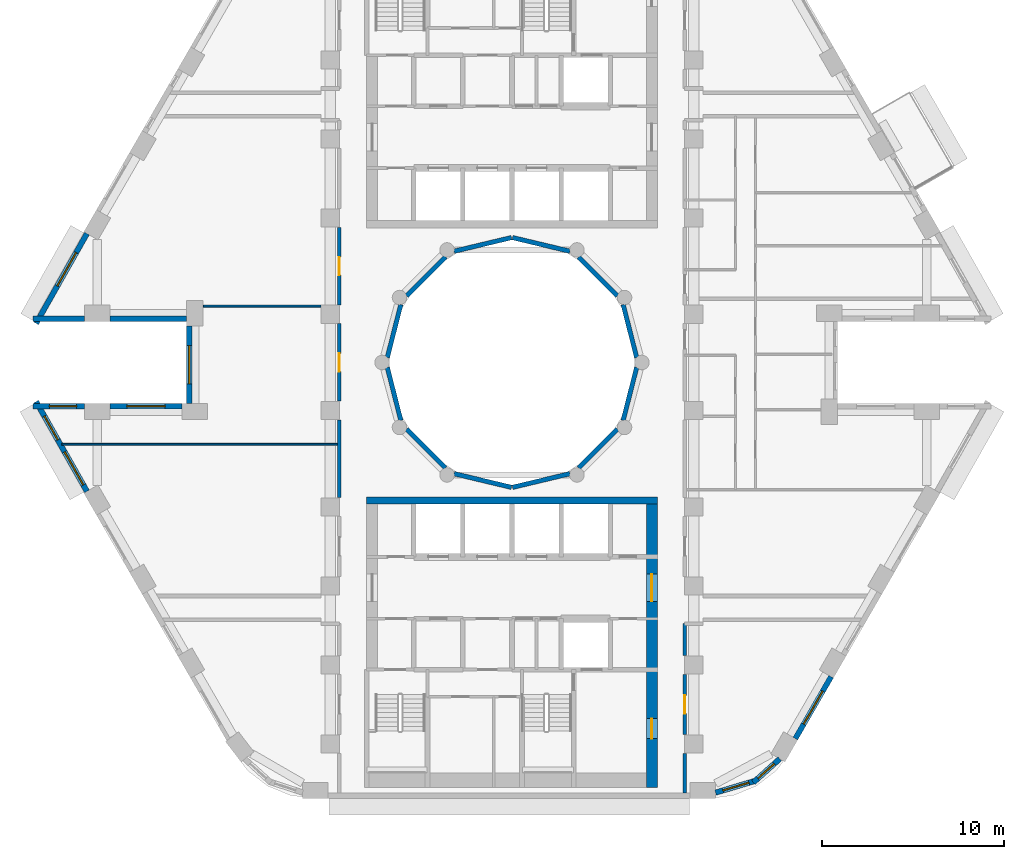
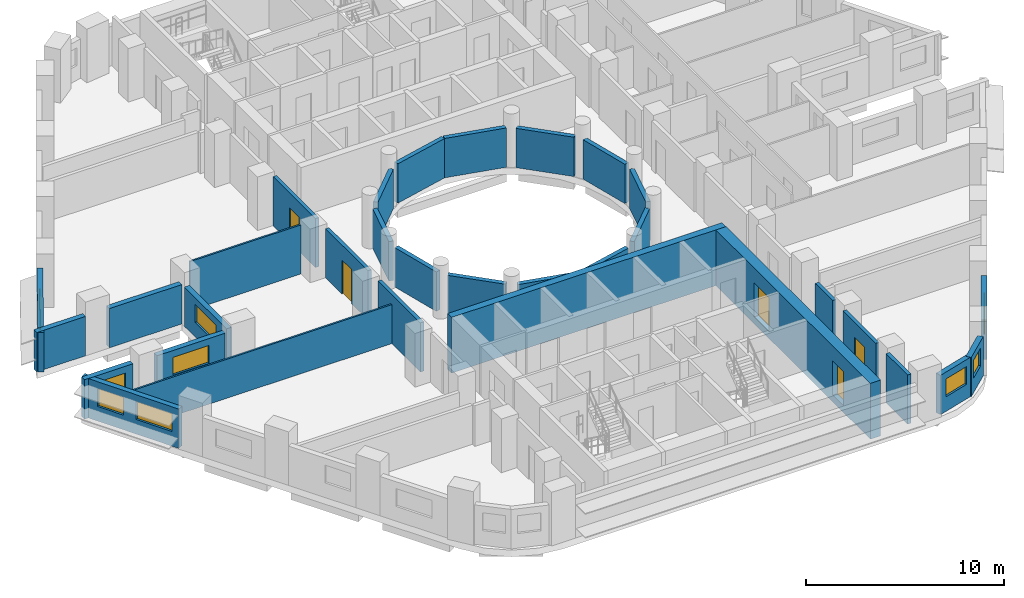
# One storey, part 4 of 13: 32 walls, 9 windows, 5 doors, 14 openings.
"""IFC4 building model written with IfcOpenShell, lengths in metres."""

from ifc_helpers import new_model, si_unit, direction, frame, frame_2d, origin, place, context, subcontext, project, spatial, rectangle, extrude, material, layer, layer_set, type_object, element, fill, save


model = new_model("IFC4")

# Units and contexts
model_context = context("Model", 3, precision=1e-05, world=origin(), true_north=direction((0.0, 1.0)))
body_context = subcontext(model_context, "Body", "Model", "MODEL_VIEW")
ifc_project = project(units=[si_unit("LENGTHUNIT", "METRE"), si_unit("AREAUNIT", "SQUARE_METRE"), si_unit("VOLUMEUNIT", "CUBIC_METRE"), si_unit("PLANEANGLEUNIT", "RADIAN"), si_unit("MASSUNIT", "GRAM", prefix="KILO")], contexts=[model_context])

# Site, building, storey
site_placement = place(None, origin())
site = spatial("IfcSite", under=ifc_project, at=site_placement, CompositionType="ELEMENT")
building_placement = place(site_placement, origin())
building = spatial("IfcBuilding", under=site, at=building_placement, Name="Nakaniwa Court", CompositionType="ELEMENT")
storey_placement = place(building_placement, frame((0.0, 0.0, 77.699951171875)))
storey = spatial("IfcBuildingStorey", under=building, at=storey_placement, Name="L19", CompositionType="ELEMENT", Elevation=77.699951171875)

# Wall
ifc_material_1 = material(Name="Acoustic double stud partition")
ifc_layer_1 = layer(ifc_material_1, 0.199951171875)
ifc_layer_set_1 = layer_set([ifc_layer_1], Name="Acoustic double stud partition")
wall_type_1 = type_object("IfcWallType", Name="Acoustic double stud partition 200", PredefinedType="PARTITIONING", material=ifc_layer_set_1)
wall_1_placement = place(storey_placement, frame((89.5, 56.300048828125, 0.0), z_axis=(0.0, 0.0, 1.0), x_axis=(0.0, 1.0, 0.0)))
element("IfcWall", 1, at=wall_1_placement, inside=storey, type_object=wall_type_1, Name="Partition PW-069", PredefinedType="PARTITIONING", context=body_context, shape_type="SweptSolid", body=[
    extrude(rectangle(XDim=2.182861328125, YDim=0.199951171875, at=frame_2d((1.09130859375, 0.0))), origin(), (0.0, 0.0, 1.0), 3.025146484375),
])

# Wall, opening, door
wall_2_placement = place(storey_placement, frame((89.5, 62.8330078125, 0.0), z_axis=(0.0, 0.0, 1.0), x_axis=(0.0, -1.0, 0.0)))
wall_2 = element("IfcWall", 2, at=wall_2_placement, inside=storey, type_object=wall_type_1, Name="Partition PW-070", PredefinedType="PARTITIONING", context=body_context, shape_type="SweptSolid", body=[
    extrude(rectangle(XDim=3.31591796875, YDim=0.199951171875, at=frame_2d((1.657958984375, 0.0))), origin(), (0.0, 0.0, 1.0), 3.025146484375),
])
opening_1_placement = place(wall_2_placement, frame((1.157958984375, 0.0, 0.0)))
opening_1 = element("IfcOpeningElement", 3, at=opening_1_placement, cuts=wall_2, Name="Opening D-02-08", PredefinedType="OPENING", context=body_context, shape_type="SweptSolid", body=[
    extrude(rectangle(XDim=1.0, YDim=2.10009765625, at=frame_2d((0.5, 1.050048828125))), frame((0.0, 0.10986328125, 0.0), z_axis=(0.0, -1.0, 0.0), x_axis=(1.0, 0.0, 0.0)), (0.0, 0.0, 1.0), 0.219970703125),
])
ifc_material_2 = material(Name="Solid core timber door set, black veneer", Category="wood")
door_type_1 = type_object("IfcDoorType", Name="Internal door 1000", OperationType="NOTDEFINED", PredefinedType="DOOR", material=ifc_material_2)
door_1_placement = place(opening_1_placement, origin())
door_1 = element("IfcDoor", 4, at=door_1_placement, inside=storey, type_object=door_type_1, Name="Door D-02-08 L19-046", OperationType="SINGLE_SWING_LEFT", OverallHeight=2.10009765625, OverallWidth=1.0, PredefinedType="DOOR", context=body_context, shape_type="SweptSolid", body=[
    extrude(rectangle(XDim=1.0, YDim=2.10009765625, at=frame_2d((0.5, 1.050048828125))), frame((0.0, 0.02490234375, 0.0), z_axis=(0.0, -1.0, 0.0), x_axis=(1.0, 0.0, 0.0)), (0.0, 0.0, 1.0), 0.050048828125),
])
fill(opening_1, door_1)

# Walls
wall_3_placement = place(storey_placement, frame((89.5, 63.866943359375, 0.0), z_axis=(0.0, 0.0, 1.0), x_axis=(0.0, 1.0, 0.0)))
element("IfcWall", 5, at=wall_3_placement, inside=storey, type_object=wall_type_1, Name="Partition PW-071", PredefinedType="PARTITIONING", context=body_context, shape_type="SweptSolid", body=[
    extrude(rectangle(XDim=1.760986328125, YDim=0.199951171875, at=frame_2d((0.88037109375, 0.0))), origin(), (0.0, 0.0, 1.0), 3.025146484375),
])
wall_4_placement = place(storey_placement, frame((70.5, 72.56689453125, 0.0), z_axis=(0.0, 0.0, 1.0), x_axis=(0.0, 1.0, 0.0)))
element("IfcWall", 6, at=wall_4_placement, inside=storey, type_object=wall_type_1, Name="Partition PW-099", PredefinedType="PARTITIONING", context=body_context, shape_type="SweptSolid", body=[
    extrude(rectangle(XDim=4.26611328125, YDim=0.199951171875, at=frame_2d((2.133056640625, 0.0))), origin(), (0.0, 0.0, 1.0), 3.025146484375),
])

# Wall, opening, door
wall_5_placement = place(storey_placement, frame((70.5, 77.866943359375, 0.0), z_axis=(0.0, 0.0, 1.0), x_axis=(0.0, 1.0, 0.0)))
wall_5 = element("IfcWall", 7, at=wall_5_placement, inside=storey, type_object=wall_type_1, Name="Partition PW-100", PredefinedType="PARTITIONING", context=body_context, shape_type="SweptSolid", body=[
    extrude(rectangle(XDim=4.26611328125, YDim=0.199951171875, at=frame_2d((2.133056640625, 0.0))), origin(), (0.0, 0.0, 1.0), 3.025146484375),
])
opening_2_placement = place(wall_5_placement, frame((1.633056640625, 0.0, 0.0)))
opening_2 = element("IfcOpeningElement", 8, at=opening_2_placement, cuts=wall_5, Name="Opening D-02-05", PredefinedType="OPENING", context=body_context, shape_type="SweptSolid", body=[
    extrude(rectangle(XDim=1.0, YDim=2.10009765625, at=frame_2d((0.5, 1.050048828125))), frame((0.0, 0.10986328125, 0.0), z_axis=(0.0, -1.0, 0.0), x_axis=(1.0, 0.0, 0.0)), (0.0, 0.0, 1.0), 0.219970703125),
])
door_2_placement = place(opening_2_placement, origin())
door_2 = element("IfcDoor", 9, at=door_2_placement, inside=storey, type_object=door_type_1, Name="Door D-02-05 L19-043", OperationType="SINGLE_SWING_RIGHT", OverallHeight=2.10009765625, OverallWidth=1.0, PredefinedType="DOOR", context=body_context, shape_type="SweptSolid", body=[
    extrude(rectangle(XDim=1.0, YDim=2.10009765625, at=frame_2d((0.5, 1.050048828125))), frame((0.0, 0.02490234375, 0.0), z_axis=(0.0, -1.0, 0.0), x_axis=(1.0, 0.0, 0.0)), (0.0, 0.0, 1.0), 0.050048828125),
])
fill(opening_2, door_2)

wall_6_placement = place(storey_placement, frame((70.5, 83.1669921875, 0.0), z_axis=(0.0, 0.0, 1.0), x_axis=(0.0, 1.0, 0.0)))
wall_6 = element("IfcWall", 10, at=wall_6_placement, inside=storey, type_object=wall_type_1, Name="Partition PW-101", PredefinedType="PARTITIONING", context=body_context, shape_type="SweptSolid", body=[
    extrude(rectangle(XDim=4.26611328125, YDim=0.199951171875, at=frame_2d((2.133056640625, 0.0))), origin(), (0.0, 0.0, 1.0), 3.025146484375),
])
opening_3_placement = place(wall_6_placement, frame((1.633056640625, 0.0, 0.0)))
opening_3 = element("IfcOpeningElement", 11, at=opening_3_placement, cuts=wall_6, Name="Opening D-02-06", PredefinedType="OPENING", context=body_context, shape_type="SweptSolid", body=[
    extrude(rectangle(XDim=1.0, YDim=2.10009765625, at=frame_2d((0.5, 1.050048828125))), frame((0.0, 0.10986328125, 0.0), z_axis=(0.0, -1.0, 0.0), x_axis=(1.0, 0.0, 0.0)), (0.0, 0.0, 1.0), 0.219970703125),
])
door_3_placement = place(opening_3_placement, origin())
door_3 = element("IfcDoor", 12, at=door_3_placement, inside=storey, type_object=door_type_1, Name="Door D-02-06 L19-044", OperationType="SINGLE_SWING_LEFT", OverallHeight=2.10009765625, OverallWidth=1.0, PredefinedType="DOOR", context=body_context, shape_type="SweptSolid", body=[
    extrude(rectangle(XDim=1.0, YDim=2.10009765625, at=frame_2d((0.5, 1.050048828125))), frame((0.0, 0.02490234375, 0.0), z_axis=(0.0, -1.0, 0.0), x_axis=(1.0, 0.0, 0.0)), (0.0, 0.0, 1.0), 0.050048828125),
])
fill(opening_3, door_3)

# Wall, opening, window
ifc_material_3 = material(Name="Charcoal ceramic cladding")
ifc_layer_2 = layer(ifc_material_3, 0.02, Name="Ceramic cladding")
ifc_material_4 = material(Name="Ventilated air cavity")
ifc_layer_3 = layer(ifc_material_4, 0.04, ventilated=True, Name="Ventilated cavity")
ifc_material_5 = material(Name="Mineral wool insulation")
ifc_layer_4 = layer(ifc_material_5, 0.1, Name="Insulation")
ifc_material_6 = material(Name="Cement bonded sheathing board")
ifc_layer_5 = layer(ifc_material_6, 0.012, Name="Sheathing")
ifc_material_7 = material(Name="Cold-formed galvanised stud frame with mineral wool infill")
ifc_layer_6 = layer(ifc_material_7, 0.1, Name="Stud frame")
ifc_material_8 = material(Name="Fire-rated gypsum plasterboard lining")
ifc_layer_7 = layer(ifc_material_8, 0.028, Name="Lining")
ifc_layer_set_2 = layer_set([ifc_layer_2, ifc_layer_3, ifc_layer_4, ifc_layer_5, ifc_layer_6, ifc_layer_7], Name="Charcoal ceramic faced external wall system")
wall_type_2 = type_object("IfcWallType", Name="Black ceramic faced external wall 300", PredefinedType="SOLIDWALL", material=ifc_layer_set_2)
wall_7_placement = place(storey_placement, frame((56.609375, 87.09375, 0.0), z_axis=(0.0, 0.0, 1.0), x_axis=(-0.492456858874, -0.870336855561, 0.0)))
wall_7 = element("IfcWall", 13, at=wall_7_placement, inside=storey, type_object=wall_type_2, Name="L19 external wall 14", PredefinedType="SOLIDWALL", context=body_context, shape_type="SweptSolid", body=[
    extrude(rectangle(XDim=5.676513671875, YDim=0.300048828125, at=frame_2d((2.83837890625, 0.0))), origin(), (0.0, 0.0, 1.0), 2.425048828125),
])
opening_4_placement = place(wall_7_placement, frame((1.208984375, 0.0, 0.89990234375)))
opening_4 = element("IfcOpeningElement", 14, at=opening_4_placement, cuts=wall_7, Name="Opening W7.16", PredefinedType="OPENING", context=body_context, shape_type="SweptSolid", body=[
    extrude(rectangle(XDim=2.10009765625, YDim=1.10009765625, at=frame_2d((1.050048828125, 0.550048828125))), frame((0.0, 0.159912109375, 0.0), z_axis=(0.0, -1.0, 0.0), x_axis=(1.0, 0.0, 0.0)), (0.0, 0.0, 1.0), 0.320068359375),
])
ifc_material_9 = material(Name="Black anodised aluminium frame with dark low-E laminated double glazing", Category="aluminium")
window_type_1 = type_object("IfcWindowType", Name="Dark glass window 2100x1100 sill 900", PartitioningType="SINGLE_PANEL", PredefinedType="WINDOW", material=ifc_material_9)
window_1_placement = place(opening_4_placement, origin())
window_1 = element("IfcWindow", 15, at=window_1_placement, inside=storey, type_object=window_type_1, Name="L19 habitable room window 14-0", OverallHeight=1.10009765625, OverallWidth=2.10009765625, PartitioningType="SINGLE_PANEL", PredefinedType="WINDOW", context=body_context, shape_type="SweptSolid", body=[
    extrude(rectangle(XDim=2.10009765625, YDim=1.10009765625, at=frame_2d((1.050048828125, 0.550048828125))), frame((0.0, 0.030029296875, 0.0), z_axis=(0.0, -1.0, 0.0), x_axis=(1.0, 0.0, 0.0)), (0.0, 0.0, 1.0), 0.06005859375),
])
fill(opening_4, window_1)

# Walls
wall_8_placement = place(storey_placement, frame((53.643310546875, 82.39990234375, 0.0), z_axis=(0.0, 0.0, 1.0), x_axis=(1.0, 0.0, 0.0)))
element("IfcWall", 16, at=wall_8_placement, inside=storey, type_object=wall_type_2, Name="L19 external wall 15", PredefinedType="SOLIDWALL", context=body_context, shape_type="SweptSolid", body=[
    extrude(rectangle(XDim=2.837890625, YDim=0.300048828125, at=frame_2d((1.4189453125, 0.0))), origin(), (0.0, 0.0, 1.0), 2.425048828125),
])
wall_9_placement = place(storey_placement, frame((57.873046875, 82.39990234375, 0.0), z_axis=(0.0, 0.0, 1.0), x_axis=(1.0, 0.0, 0.0)))
element("IfcWall", 17, at=wall_9_placement, inside=storey, type_object=wall_type_2, Name="L19 external wall 16", PredefinedType="SOLIDWALL", context=body_context, shape_type="SweptSolid", body=[
    extrude(rectangle(XDim=4.22265625, YDim=0.300048828125, at=frame_2d((2.111328125, 0.0))), origin(), (0.0, 0.0, 1.0), 2.425048828125),
])

# Wall, opening, window
wall_10_placement = place(storey_placement, frame((62.24169921875, 82.00390625, 0.0), z_axis=(0.0, 0.0, 1.0), x_axis=(0.0, -1.0, 0.0)))
wall_10 = element("IfcWall", 18, at=wall_10_placement, inside=storey, type_object=wall_type_2, Name="L19 external wall 17", PredefinedType="SOLIDWALL", context=body_context, shape_type="SweptSolid", body=[
    extrude(rectangle(XDim=4.2578125, YDim=0.300048828125, at=frame_2d((2.12890625, 0.0))), origin(), (0.0, 0.0, 1.0), 2.425048828125),
])
opening_5_placement = place(wall_10_placement, frame((1.0791015625, 0.0, 0.89990234375)))
opening_5 = element("IfcOpeningElement", 19, at=opening_5_placement, cuts=wall_10, Name="Opening W7.17", PredefinedType="OPENING", context=body_context, shape_type="SweptSolid", body=[
    extrude(rectangle(XDim=2.10009765625, YDim=1.10009765625, at=frame_2d((1.050048828125, 0.550048828125))), frame((0.0, 0.159912109375, 0.0), z_axis=(0.0, -1.0, 0.0), x_axis=(1.0, 0.0, 0.0)), (0.0, 0.0, 1.0), 0.320068359375),
])
window_2_placement = place(opening_5_placement, origin())
window_2 = element("IfcWindow", 20, at=window_2_placement, inside=storey, type_object=window_type_1, Name="L19 habitable room window 17-0", OverallHeight=1.10009765625, OverallWidth=2.10009765625, PartitioningType="SINGLE_PANEL", PredefinedType="WINDOW", context=body_context, shape_type="SweptSolid", body=[
    extrude(rectangle(XDim=2.10009765625, YDim=1.10009765625, at=frame_2d((1.050048828125, 0.550048828125))), frame((0.0, 0.030029296875, 0.0), z_axis=(0.0, -1.0, 0.0), x_axis=(1.0, 0.0, 0.0)), (0.0, 0.0, 1.0), 0.06005859375),
])
fill(opening_5, window_2)

wall_11_placement = place(storey_placement, frame((61.845703125, 77.60009765625, 0.0), z_axis=(0.0, 0.0, 1.0), x_axis=(-1.0, 0.0, 0.0)))
wall_11 = element("IfcWall", 21, at=wall_11_placement, inside=storey, type_object=wall_type_2, Name="L19 external wall 18", PredefinedType="SOLIDWALL", context=body_context, shape_type="SweptSolid", body=[
    extrude(rectangle(XDim=3.97265625, YDim=0.300048828125, at=frame_2d((1.986328125, 0.0))), origin(), (0.0, 0.0, 1.0), 2.425048828125),
])
opening_6_placement = place(wall_11_placement, frame((0.936279296875, 0.0, 0.89990234375)))
opening_6 = element("IfcOpeningElement", 22, at=opening_6_placement, cuts=wall_11, Name="Opening W7.18", PredefinedType="OPENING", context=body_context, shape_type="SweptSolid", body=[
    extrude(rectangle(XDim=2.10009765625, YDim=1.10009765625, at=frame_2d((1.050048828125, 0.550048828125))), frame((0.0, 0.159912109375, 0.0), z_axis=(0.0, -1.0, 0.0), x_axis=(1.0, 0.0, 0.0)), (0.0, 0.0, 1.0), 0.320068359375),
])
window_3_placement = place(opening_6_placement, origin())
window_3 = element("IfcWindow", 23, at=window_3_placement, inside=storey, type_object=window_type_1, Name="L19 habitable room window 18-0", OverallHeight=1.10009765625, OverallWidth=2.10009765625, PartitioningType="SINGLE_PANEL", PredefinedType="WINDOW", context=body_context, shape_type="SweptSolid", body=[
    extrude(rectangle(XDim=2.10009765625, YDim=1.10009765625, at=frame_2d((1.050048828125, 0.550048828125))), frame((0.0, 0.030029296875, 0.0), z_axis=(0.0, -1.0, 0.0), x_axis=(1.0, 0.0, 0.0)), (0.0, 0.0, 1.0), 0.06005859375),
])
fill(opening_6, window_3)

wall_12_placement = place(storey_placement, frame((56.481201171875, 77.60009765625, 0.0), z_axis=(0.0, 0.0, 1.0), x_axis=(-1.0, 0.0, 0.0)))
wall_12 = element("IfcWall", 24, at=wall_12_placement, inside=storey, type_object=wall_type_2, Name="L19 external wall 19", PredefinedType="SOLIDWALL", context=body_context, shape_type="SweptSolid", body=[
    extrude(rectangle(XDim=2.837890625, YDim=0.300048828125, at=frame_2d((1.4189453125, 0.0))), origin(), (0.0, 0.0, 1.0), 2.425048828125),
])
opening_7_placement = place(wall_12_placement, frame((0.44384765625, 0.0, 0.89990234375)))
opening_7 = element("IfcOpeningElement", 25, at=opening_7_placement, cuts=wall_12, Name="Opening W5.19", PredefinedType="OPENING", context=body_context, shape_type="SweptSolid", body=[
    extrude(rectangle(XDim=1.5, YDim=1.10009765625, at=frame_2d((0.75, 0.550048828125))), frame((0.0, 0.159912109375, 0.0), z_axis=(0.0, -1.0, 0.0), x_axis=(1.0, 0.0, 0.0)), (0.0, 0.0, 1.0), 0.320068359375),
])
window_type_2 = type_object("IfcWindowType", Name="Dark glass window 1500x1100 sill 900", PartitioningType="SINGLE_PANEL", PredefinedType="WINDOW", material=ifc_material_9)
window_4_placement = place(opening_7_placement, origin())
window_4 = element("IfcWindow", 26, at=window_4_placement, inside=storey, type_object=window_type_2, Name="L19 habitable room window 19-0", OverallHeight=1.10009765625, OverallWidth=1.5, PartitioningType="SINGLE_PANEL", PredefinedType="WINDOW", context=body_context, shape_type="SweptSolid", body=[
    extrude(rectangle(XDim=1.5, YDim=1.10009765625, at=frame_2d((0.75, 0.550048828125))), frame((0.0, 0.030029296875, 0.0), z_axis=(0.0, -1.0, 0.0), x_axis=(1.0, 0.0, 0.0)), (0.0, 0.0, 1.0), 0.06005859375),
])
fill(opening_7, window_4)

# Wall, openings, windows
wall_13_placement = place(storey_placement, frame((53.81396484375, 77.8466796875, 0.0), z_axis=(0.0, 0.0, 1.0), x_axis=(0.492456858874, -0.870336855561, 0.0)))
wall_13 = element("IfcWall", 27, at=wall_13_placement, inside=storey, type_object=wall_type_2, Name="L19 external wall 20", PredefinedType="SOLIDWALL", context=body_context, shape_type="SweptSolid", body=[
    extrude(rectangle(XDim=5.676513671875, YDim=0.300048828125, at=frame_2d((2.83837890625, 0.0))), origin(), (0.0, 0.0, 1.0), 2.425048828125),
])
opening_8_placement = place(wall_13_placement, frame((0.922119140625, 0.0, 0.89990234375)))
opening_8 = element("IfcOpeningElement", 28, at=opening_8_placement, cuts=wall_13, Name="Opening W5.20", PredefinedType="OPENING", context=body_context, shape_type="SweptSolid", body=[
    extrude(rectangle(XDim=1.5, YDim=1.10009765625, at=frame_2d((0.75, 0.550048828125))), frame((0.0, 0.159912109375, 0.0), z_axis=(0.0, -1.0, 0.0), x_axis=(1.0, 0.0, 0.0)), (0.0, 0.0, 1.0), 0.320068359375),
])
opening_9_placement = place(wall_13_placement, frame((3.171630859375, 0.0, 0.89990234375)))
opening_9 = element("IfcOpeningElement", 29, at=opening_9_placement, cuts=wall_13, Name="Opening W7.21", PredefinedType="OPENING", context=body_context, shape_type="SweptSolid", body=[
    extrude(rectangle(XDim=2.10009765625, YDim=1.10009765625, at=frame_2d((1.050048828125, 0.550048828125))), frame((0.0, 0.159912109375, 0.0), z_axis=(0.0, -1.0, 0.0), x_axis=(1.0, 0.0, 0.0)), (0.0, 0.0, 1.0), 0.320068359375),
])
window_5_placement = place(opening_8_placement, origin())
window_5 = element("IfcWindow", 30, at=window_5_placement, inside=storey, type_object=window_type_2, Name="L19 habitable room window 20-0", OverallHeight=1.10009765625, OverallWidth=1.5, PartitioningType="SINGLE_PANEL", PredefinedType="WINDOW", context=body_context, shape_type="SweptSolid", body=[
    extrude(rectangle(XDim=1.5, YDim=1.10009765625, at=frame_2d((0.75, 0.550048828125))), frame((0.0, 0.030029296875, 0.0), z_axis=(0.0, -1.0, 0.0), x_axis=(1.0, 0.0, 0.0)), (0.0, 0.0, 1.0), 0.06005859375),
])
fill(opening_8, window_5)
window_6_placement = place(opening_9_placement, origin())
window_6 = element("IfcWindow", 31, at=window_6_placement, inside=storey, type_object=window_type_1, Name="L19 habitable room window 20-1", OverallHeight=1.10009765625, OverallWidth=2.10009765625, PartitioningType="SINGLE_PANEL", PredefinedType="WINDOW", context=body_context, shape_type="SweptSolid", body=[
    extrude(rectangle(XDim=2.10009765625, YDim=1.10009765625, at=frame_2d((1.050048828125, 0.550048828125))), frame((0.0, 0.030029296875, 0.0), z_axis=(0.0, -1.0, 0.0), x_axis=(1.0, 0.0, 0.0)), (0.0, 0.0, 1.0), 0.06005859375),
])
fill(opening_9, window_6)

# Wall, opening, window
wall_14_placement = place(storey_placement, frame((91.203369140625, 56.329833984375, 0.0), z_axis=(0.0, 0.0, 1.0), x_axis=(0.95847736903, 0.285168604614, 0.0)))
wall_14 = element("IfcWall", 32, at=wall_14_placement, inside=storey, type_object=wall_type_2, Name="L19 external wall 27", PredefinedType="SOLIDWALL", context=body_context, shape_type="SweptSolid", body=[
    extrude(rectangle(XDim=2.261962890625, YDim=0.300048828125, at=frame_2d((1.130859375, 0.0))), origin(), (0.0, 0.0, 1.0), 2.425048828125),
])
opening_10_placement = place(wall_14_placement, frame((0.418701171875, 0.0, 0.89990234375)))
opening_10 = element("IfcOpeningElement", 33, at=opening_10_placement, cuts=wall_14, Name="Opening W5.27", PredefinedType="OPENING", context=body_context, shape_type="SweptSolid", body=[
    extrude(rectangle(XDim=1.5, YDim=1.10009765625, at=frame_2d((0.75, 0.550048828125))), frame((0.0, 0.159912109375, 0.0), z_axis=(0.0, -1.0, 0.0), x_axis=(1.0, 0.0, 0.0)), (0.0, 0.0, 1.0), 0.320068359375),
])
window_7_placement = place(opening_10_placement, origin())
window_7 = element("IfcWindow", 34, at=window_7_placement, inside=storey, type_object=window_type_2, Name="L19 habitable room window 27-0", OverallHeight=1.10009765625, OverallWidth=1.5, PartitioningType="SINGLE_PANEL", PredefinedType="WINDOW", context=body_context, shape_type="SweptSolid", body=[
    extrude(rectangle(XDim=1.5, YDim=1.10009765625, at=frame_2d((0.75, 0.550048828125))), frame((0.0, 0.030029296875, 0.0), z_axis=(0.0, -1.0, 0.0), x_axis=(1.0, 0.0, 0.0)), (0.0, 0.0, 1.0), 0.06005859375),
])
fill(opening_10, window_7)

wall_15_placement = place(storey_placement, frame((93.283447265625, 56.88671875, 0.0), z_axis=(0.0, 0.0, 1.0), x_axis=(0.743785734967, 0.668418117992, 0.0)))
wall_15 = element("IfcWall", 35, at=wall_15_placement, inside=storey, type_object=wall_type_2, Name="L19 external wall 28", PredefinedType="SOLIDWALL", context=body_context, shape_type="SweptSolid", body=[
    extrude(rectangle(XDim=1.9501953125, YDim=0.300048828125, at=frame_2d((0.97509765625, 0.0))), origin(), (0.0, 0.0, 1.0), 2.425048828125),
])
opening_11_placement = place(wall_15_placement, frame((0.334716796875, 0.0, 0.89990234375)))
opening_11 = element("IfcOpeningElement", 36, at=opening_11_placement, cuts=wall_15, Name="Opening W6.28", PredefinedType="OPENING", context=body_context, shape_type="SweptSolid", body=[
    extrude(rectangle(XDim=1.199951171875, YDim=1.10009765625, at=frame_2d((0.60009765625, 0.550048828125))), frame((0.0, 0.159912109375, 0.0), z_axis=(0.0, -1.0, 0.0), x_axis=(1.0, 0.0, 0.0)), (0.0, 0.0, 1.0), 0.320068359375),
])
window_type_3 = type_object("IfcWindowType", Name="Dark glass window 1200x1100 sill 900", PartitioningType="SINGLE_PANEL", PredefinedType="WINDOW", material=ifc_material_9)
window_8_placement = place(opening_11_placement, origin())
window_8 = element("IfcWindow", 37, at=window_8_placement, inside=storey, type_object=window_type_3, Name="L19 habitable room window 28-0", OverallHeight=1.10009765625, OverallWidth=1.199951171875, PartitioningType="SINGLE_PANEL", PredefinedType="WINDOW", context=body_context, shape_type="SweptSolid", body=[
    extrude(rectangle(XDim=1.199951171875, YDim=1.10009765625, at=frame_2d((0.60009765625, 0.550048828125))), frame((0.0, 0.030029296875, 0.0), z_axis=(0.0, -1.0, 0.0), x_axis=(1.0, 0.0, 0.0)), (0.0, 0.0, 1.0), 0.06005859375),
])
fill(opening_11, window_8)

wall_16_placement = place(storey_placement, frame((95.59033203125, 59.30322265625, 0.0), z_axis=(0.0, 0.0, 1.0), x_axis=(0.500003583557, 0.866023334807, 0.0)))
wall_16 = element("IfcWall", 38, at=wall_16_placement, inside=storey, type_object=wall_type_2, Name="L19 external wall 29", PredefinedType="SOLIDWALL", context=body_context, shape_type="SweptSolid", body=[
    extrude(rectangle(XDim=3.93408203125, YDim=0.300048828125, at=frame_2d((1.967041015625, 0.0))), origin(), (0.0, 0.0, 1.0), 2.425048828125),
])
opening_12_placement = place(wall_16_placement, frame((0.9169921875, 0.0, 0.89990234375)))
opening_12 = element("IfcOpeningElement", 39, at=opening_12_placement, cuts=wall_16, Name="Opening W7.29", PredefinedType="OPENING", context=body_context, shape_type="SweptSolid", body=[
    extrude(rectangle(XDim=2.10009765625, YDim=1.10009765625, at=frame_2d((1.050048828125, 0.550048828125))), frame((0.0, 0.159912109375, 0.0), z_axis=(0.0, -1.0, 0.0), x_axis=(1.0, 0.0, 0.0)), (0.0, 0.0, 1.0), 0.320068359375),
])
window_9_placement = place(opening_12_placement, origin())
window_9 = element("IfcWindow", 40, at=window_9_placement, inside=storey, type_object=window_type_1, Name="L19 habitable room window 29-0", OverallHeight=1.10009765625, OverallWidth=2.10009765625, PartitioningType="SINGLE_PANEL", PredefinedType="WINDOW", context=body_context, shape_type="SweptSolid", body=[
    extrude(rectangle(XDim=2.10009765625, YDim=1.10009765625, at=frame_2d((1.050048828125, 0.550048828125))), frame((0.0, 0.030029296875, 0.0), z_axis=(0.0, -1.0, 0.0), x_axis=(1.0, 0.0, 0.0)), (0.0, 0.0, 1.0), 0.06005859375),
])
fill(opening_12, window_9)

# Walls
ifc_layer_8 = layer(ifc_material_3, 0.02, Name="Ceramic cladding")
ifc_layer_9 = layer(ifc_material_4, 0.04, ventilated=True, Name="Ventilated cavity")
ifc_layer_10 = layer(ifc_material_5, 0.075, Name="Insulation")
ifc_layer_11 = layer(ifc_material_6, 0.012, Name="Sheathing")
ifc_layer_12 = layer(ifc_material_7, 0.075, Name="Stud frame")
ifc_layer_13 = layer(ifc_material_8, 0.028, Name="Lining")
ifc_layer_set_3 = layer_set([ifc_layer_8, ifc_layer_9, ifc_layer_10, ifc_layer_11, ifc_layer_12, ifc_layer_13], Name="Charcoal ceramic faced external wall system")
wall_type_3 = type_object("IfcWallType", Name="Charcoal ceramic faced well wall 250", PredefinedType="SOLIDWALL", material=ifc_layer_set_3)
wall_17_placement = place(storey_placement, frame((86.8603515625, 79.72998046875, 0.0), z_axis=(0.0, 0.0, 1.0), x_axis=(-0.247055971283, -0.969001211069, 0.0)))
element("IfcWall", 41, at=wall_17_placement, inside=storey, type_object=wall_type_3, Name="L19 external wall 36", PredefinedType="SOLIDWALL", context=body_context, shape_type="SweptSolid", body=[
    extrude(rectangle(XDim=3.010009765625, YDim=0.25, at=frame_2d((1.5048828125, 0.0))), origin(), (0.0, 0.0, 1.0), 2.425048828125),
])
wall_18_placement = place(storey_placement, frame((85.8056640625, 76.339111328125, 0.0), z_axis=(0.0, 0.0, 1.0), x_axis=(-0.707106781187, -0.707106781187, 0.0)))
element("IfcWall", 42, at=wall_18_placement, inside=storey, type_object=wall_type_3, Name="L19 external wall 37", PredefinedType="SOLIDWALL", context=body_context, shape_type="SweptSolid", body=[
    extrude(rectangle(XDim=3.033203125, YDim=0.25, at=frame_2d((1.5166015625, 0.0))), origin(), (0.0, 0.0, 1.0), 2.425048828125),
])
for number, where, z_axis, x_axis, name in (
    (43, (83.186279296875, 73.880615234375, 0.0), (0.0, 0.0, 1.0), (-0.972773113459, -0.231759508395, 0.0), "L19 external wall 38"),
    (44, (79.970947265625, 73.12841796875, 0.0), (0.0, 0.0, 1.0), (-0.972773113459, 0.231759508395, 0.0), "L19 external wall 39"),
):
    element("IfcWall", number, at=place(storey_placement, frame(where, z_axis=z_axis, x_axis=x_axis)), inside=storey, type_object=wall_type_3, Name=name, PredefinedType="SOLIDWALL", context=body_context, shape_type="SweptSolid", body=[
        extrude(rectangle(XDim=3.24560546875, YDim=0.25, at=frame_2d((1.622802734375, 0.0))), origin(), (0.0, 0.0, 1.0), 2.425048828125),
    ])
wall_19_placement = place(storey_placement, frame((76.339111328125, 74.1943359375, 0.0), z_axis=(0.0, 0.0, 1.0), x_axis=(-0.707106781187, 0.707106781187, 0.0)))
element("IfcWall", 45, at=wall_19_placement, inside=storey, type_object=wall_type_3, Name="L19 external wall 40", PredefinedType="SOLIDWALL", context=body_context, shape_type="SweptSolid", body=[
    extrude(rectangle(XDim=3.033203125, YDim=0.25, at=frame_2d((1.5166015625, 0.0))), origin(), (0.0, 0.0, 1.0), 2.425048828125),
])
for number, where, z_axis, x_axis, name in (
    (46, (73.88330078125, 76.813232421875, 0.0), (0.0, 0.0, 1.0), (-0.247055971283, 0.969001211069, 0.0), "L19 external wall 41"),
    (47, (73.1396484375, 80.27001953125, 0.0), (0.0, 0.0, 1.0), (0.247055971283, 0.969001211069, 0.0), "L19 external wall 42"),
):
    element("IfcWall", number, at=place(storey_placement, frame(where, z_axis=z_axis, x_axis=x_axis)), inside=storey, type_object=wall_type_3, Name=name, PredefinedType="SOLIDWALL", context=body_context, shape_type="SweptSolid", body=[
        extrude(rectangle(XDim=3.010009765625, YDim=0.25, at=frame_2d((1.5048828125, 0.0))), origin(), (0.0, 0.0, 1.0), 2.425048828125),
    ])
wall_20_placement = place(storey_placement, frame((74.1943359375, 83.660888671875, 0.0), z_axis=(0.0, 0.0, 1.0), x_axis=(0.707106781187, 0.707106781187, 0.0)))
element("IfcWall", 48, at=wall_20_placement, inside=storey, type_object=wall_type_3, Name="L19 external wall 43", PredefinedType="SOLIDWALL", context=body_context, shape_type="SweptSolid", body=[
    extrude(rectangle(XDim=3.033203125, YDim=0.25, at=frame_2d((1.5166015625, 0.0))), origin(), (0.0, 0.0, 1.0), 2.425048828125),
])
for number, where, z_axis, x_axis, name in (
    (49, (76.813720703125, 86.119384765625, 0.0), (0.0, 0.0, 1.0), (0.972773113459, 0.231759508395, 0.0), "L19 external wall 44"),
    (50, (80.029052734375, 86.87158203125, 0.0), (0.0, 0.0, 1.0), (0.972773113459, -0.231759508395, 0.0), "L19 external wall 45"),
):
    element("IfcWall", number, at=place(storey_placement, frame(where, z_axis=z_axis, x_axis=x_axis)), inside=storey, type_object=wall_type_3, Name=name, PredefinedType="SOLIDWALL", context=body_context, shape_type="SweptSolid", body=[
        extrude(rectangle(XDim=3.24560546875, YDim=0.25, at=frame_2d((1.622802734375, 0.0))), origin(), (0.0, 0.0, 1.0), 2.425048828125),
    ])
wall_21_placement = place(storey_placement, frame((83.660888671875, 85.8056640625, 0.0), z_axis=(0.0, 0.0, 1.0), x_axis=(0.707106781187, -0.707106781187, 0.0)))
element("IfcWall", 51, at=wall_21_placement, inside=storey, type_object=wall_type_3, Name="L19 external wall 46", PredefinedType="SOLIDWALL", context=body_context, shape_type="SweptSolid", body=[
    extrude(rectangle(XDim=3.033203125, YDim=0.25, at=frame_2d((1.5166015625, 0.0))), origin(), (0.0, 0.0, 1.0), 2.425048828125),
])
wall_22_placement = place(storey_placement, frame((86.11669921875, 83.186767578125, 0.0), z_axis=(0.0, 0.0, 1.0), x_axis=(0.247055971283, -0.969001211069, 0.0)))
element("IfcWall", 52, at=wall_22_placement, inside=storey, type_object=wall_type_3, Name="L19 external wall 47", PredefinedType="SOLIDWALL", context=body_context, shape_type="SweptSolid", body=[
    extrude(rectangle(XDim=3.010009765625, YDim=0.25, at=frame_2d((1.5048828125, 0.0))), origin(), (0.0, 0.0, 1.0), 2.425048828125),
])

# Wall, openings, doors
ifc_material_10 = material(Name="Concrete C80/100", Category="concrete")
ifc_layer_14 = layer(ifc_material_10, 0.60009765625)
ifc_layer_set_4 = layer_set([ifc_layer_14], Name="Concrete C80/100")
wall_type_4 = type_object("IfcWallType", Name="Concrete core side wall 600 C80", PredefinedType="SHEAR", material=ifc_layer_set_4)
wall_23_placement = place(storey_placement, frame((87.699951171875, 72.199951171875, -0.409912109375), z_axis=(0.0, 0.0, 1.0), x_axis=(0.0, -1.0, 0.0)))
wall_23 = element("IfcWall", 53, at=wall_23_placement, inside=storey, type_object=wall_type_4, Name="Core wall SW-49", PredefinedType="SHEAR", context=body_context, shape_type="SweptSolid", body=[
    extrude(rectangle(XDim=15.599853515625, YDim=0.60009765625, at=frame_2d((7.7998046875, 0.0))), origin(), (0.0, 0.0, 1.0), 3.43505859375),
])
opening_13_placement = place(wall_23_placement, frame((3.85009765625, 0.0, 0.409912109375)))
opening_13 = element("IfcOpeningElement", 54, at=opening_13_placement, cuts=wall_23, Name="Opening D-07-03", PredefinedType="OPENING", context=body_context, shape_type="SweptSolid", body=[
    extrude(rectangle(XDim=1.5, YDim=2.10009765625, at=frame_2d((0.75, 1.050048828125))), frame((0.0, 0.31005859375, 0.0), z_axis=(0.0, -1.0, 0.0), x_axis=(1.0, 0.0, 0.0)), (0.0, 0.0, 1.0), 0.6201171875),
])
opening_14_placement = place(wall_23_placement, frame((11.800048828125, 0.0, 0.409912109375)))
opening_14 = element("IfcOpeningElement", 55, at=opening_14_placement, cuts=wall_23, Name="Opening D-10-02", PredefinedType="OPENING", context=body_context, shape_type="SweptSolid", body=[
    extrude(rectangle(XDim=1.10009765625, YDim=2.10009765625, at=frame_2d((0.550048828125, 1.050048828125))), frame((0.0, 0.31005859375, 0.0), z_axis=(0.0, -1.0, 0.0), x_axis=(1.0, 0.0, 0.0)), (0.0, 0.0, 1.0), 0.6201171875),
])
ifc_material_11 = material(Name="Fire rated steel door set", Category="steel")
door_type_2 = type_object("IfcDoorType", Name="Firefighting lobby door 1100", OperationType="NOTDEFINED", PredefinedType="DOOR", material=ifc_material_11)
door_4_placement = place(opening_14_placement, origin())
door_4 = element("IfcDoor", 56, at=door_4_placement, inside=storey, type_object=door_type_2, Name="Door D-10-02 L19-052", OperationType="SINGLE_SWING_LEFT", OverallHeight=2.10009765625, OverallWidth=1.10009765625, PredefinedType="DOOR", context=body_context, shape_type="SweptSolid", body=[
    extrude(rectangle(XDim=1.10009765625, YDim=2.10009765625, at=frame_2d((0.550048828125, 1.050048828125))), frame((0.0, 0.02490234375, 0.0), z_axis=(0.0, -1.0, 0.0), x_axis=(1.0, 0.0, 0.0)), (0.0, 0.0, 1.0), 0.050048828125),
])
fill(opening_14, door_4)
ifc_material_12 = material(Name="Glazed fire rated steel double door set", Category="steel")
door_type_3 = type_object("IfcDoorType", Name="Lobby double door 1500", OperationType="NOTDEFINED", PredefinedType="DOOR", material=ifc_material_12)
door_5_placement = place(opening_13_placement, origin())
door_5 = element("IfcDoor", 57, at=door_5_placement, inside=storey, type_object=door_type_3, Name="Door D-07-03 L19-050", OperationType="DOUBLE_DOOR_SINGLE_SWING", OverallHeight=2.10009765625, OverallWidth=1.5, PredefinedType="DOOR", context=body_context, shape_type="SweptSolid", body=[
    extrude(rectangle(XDim=1.5, YDim=2.10009765625, at=frame_2d((0.75, 1.050048828125))), frame((0.0, 0.02490234375, 0.0), z_axis=(0.0, -1.0, 0.0), x_axis=(1.0, 0.0, 0.0)), (0.0, 0.0, 1.0), 0.050048828125),
])
fill(opening_13, door_5)

# Walls
ifc_layer_15 = layer(ifc_material_10, 0.39990234375)
ifc_layer_set_5 = layer_set([ifc_layer_15], Name="Concrete C80/100")
wall_type_5 = type_object("IfcWallType", Name="Concrete core well wall 400 C80", PredefinedType="SHEAR", material=ifc_layer_set_5)
wall_24_placement = place(storey_placement, frame((72.00390625, 72.39990234375, -0.409912109375), z_axis=(0.0, 0.0, 1.0), x_axis=(1.0, 0.0, 0.0)))
element("IfcWall", 58, at=wall_24_placement, inside=storey, type_object=wall_type_5, Name="Core wall SW-124", PredefinedType="SHEAR", context=body_context, shape_type="SweptSolid", body=[
    extrude(rectangle(XDim=15.9921875, YDim=0.39990234375, at=frame_2d((7.99609375, 0.0))), origin(), (0.0, 0.0, 1.0), 3.43505859375),
])
ifc_material_13 = material(Name="Single stud plasterboard partition")
ifc_layer_16 = layer(ifc_material_13, 0.10009765625)
ifc_layer_set_6 = layer_set([ifc_layer_16], Name="Single stud plasterboard partition")
wall_type_6 = type_object("IfcWallType", Name="Single stud plasterboard partition 100", PredefinedType="PARTITIONING", material=ifc_layer_set_6)
wall_25_placement = place(storey_placement, frame((55.231689453125, 75.5, 0.0), z_axis=(0.0, 0.0, 1.0), x_axis=(1.0, 0.0, 0.0)))
element("IfcWall", 59, at=wall_25_placement, inside=storey, type_object=wall_type_6, Name="Partition PW-120", PredefinedType="PARTITIONING", context=body_context, shape_type="SweptSolid", body=[
    extrude(rectangle(XDim=15.268310546875, YDim=0.10009765625, at=frame_2d((7.63427734375, 0.0))), origin(), (0.0, 0.0, 1.0), 2.405029296875),
])
wall_26_placement = place(storey_placement, frame((63.01171875, 83.10009765625, 0.0), z_axis=(0.0, 0.0, 1.0), x_axis=(1.0, 0.0, 0.0)))
element("IfcWall", 60, at=wall_26_placement, inside=storey, type_object=wall_type_6, Name="Partition PW-121", PredefinedType="PARTITIONING", context=body_context, shape_type="SweptSolid", body=[
    extrude(rectangle(XDim=6.46826171875, YDim=0.10009765625, at=frame_2d((3.234130859375, 0.0))), origin(), (0.0, 0.0, 1.0), 3.025146484375),
])

save(model, "model.ifc")
